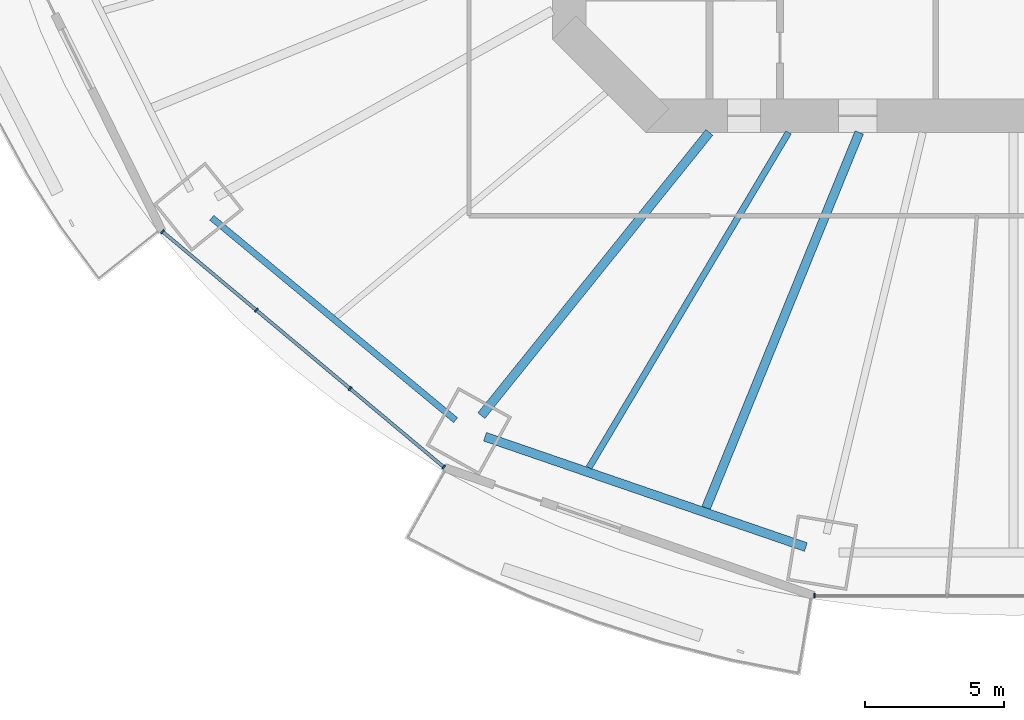
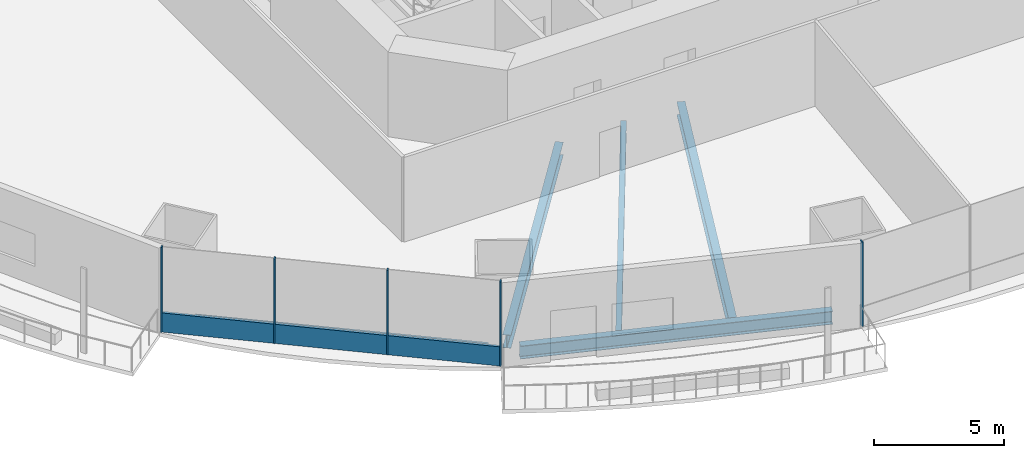
# One storey, part 2 of 23: 6 members, 5 beams, 2 elements without a shape of their own.
"""IFC4 building model written with IfcOpenShell, lengths in metres."""

from ifc_helpers import new_model, si_unit, direction, frame, origin, origin_2d, place, context, subcontext, project, spatial, rectangle, i_section, extrude, material, material_profile, profile_set, type_object, element, aggregate, save


model = new_model("IFC4")

# Units and contexts
model_context = context("Model", 3, precision=1e-05, world=origin(), true_north=direction((0.0, 1.0)))
body_context = subcontext(model_context, "Body", "Model", "MODEL_VIEW")
ifc_project = project(units=[si_unit("LENGTHUNIT", "METRE"), si_unit("AREAUNIT", "SQUARE_METRE"), si_unit("VOLUMEUNIT", "CUBIC_METRE"), si_unit("PLANEANGLEUNIT", "RADIAN"), si_unit("MASSUNIT", "GRAM", prefix="KILO")], contexts=[model_context])

# Site, building, storey
site_placement = place(None, origin())
site = spatial("IfcSite", under=ifc_project, at=site_placement, CompositionType="ELEMENT")
building_placement = place(site_placement, origin())
building = spatial("IfcBuilding", under=site, at=building_placement, Name="Marenthal Gate Tower", CompositionType="ELEMENT")
storey_placement = place(building_placement, frame((0.0, 0.0, 41.300048828125)))
storey = spatial("IfcBuildingStorey", under=building, at=storey_placement, Name="L06", CompositionType="ELEMENT", Elevation=41.300048828125)

# Curtain wall, members
ifc_material_1 = material(Name="Aluminium and glass", Category="aluminium")
curtain_wall_type = type_object("IfcCurtainWallType", Name="Curtain wall typical low", PredefinedType="NOTDEFINED", material=ifc_material_1)
curtain_wall_1_placement = place(storey_placement, origin())
curtain_wall_1 = element("IfcCurtainWall", 1, at=curtain_wall_1_placement, inside=storey, type_object=curtain_wall_type, Name="Curtain wall L06 bay 10", PredefinedType="NOTDEFINED")
ifc_material_2 = material(Name="Aluminium", Category="aluminium")
ifc_material_profile_1 = material_profile(ifc_material_2, rectangle(XDim=0.159912109375, YDim=0.06005859375, at=origin_2d()), Name="60x160 aluminium mullion")
ifc_profile_set_1 = profile_set([ifc_material_profile_1], Name="Aluminium")
member_type_1 = type_object("IfcMemberType", Name="Mullion 60x160 typical low", PredefinedType="MULLION", material=ifc_profile_set_1)
member_1_placement = place(storey_placement, frame((-30.6416015625, -17.17529296875, 0.0), z_axis=(0.0, 0.0, 1.0), x_axis=(0.641982192245, 0.76671954771, 0.0)))
member_1 = element("IfcMember", 2, at=member_1_placement, type_object=member_type_1, Name="Mullion L06 bay 10.1", PredefinedType="MULLION", context=body_context, shape_type="SweptSolid", body=[
    extrude(rectangle(XDim=0.159912109375, YDim=0.06005859375, at=origin_2d()), origin(), (0.0, 0.0, 1.0), 3.969970703125),
])
member_2_placement = place(storey_placement, frame((-27.26513671875, -20.00244140625, 0.0), z_axis=(0.0, 0.0, 1.0), x_axis=(0.641982192245, 0.76671954771, 0.0)))
member_2 = element("IfcMember", 3, at=member_2_placement, type_object=member_type_1, Name="Mullion L06 bay 10.2", PredefinedType="MULLION", context=body_context, shape_type="SweptSolid", body=[
    extrude(rectangle(XDim=0.159912109375, YDim=0.06005859375, at=origin_2d()), origin(), (0.0, 0.0, 1.0), 3.969970703125),
])
member_3_placement = place(storey_placement, frame((-23.888671875, -22.829345703125, 0.0), z_axis=(0.0, 0.0, 1.0), x_axis=(0.641982192245, 0.76671954771, 0.0)))
member_3 = element("IfcMember", 4, at=member_3_placement, type_object=member_type_1, Name="Mullion L06 bay 10.3", PredefinedType="MULLION", context=body_context, shape_type="SweptSolid", body=[
    extrude(rectangle(XDim=0.159912109375, YDim=0.06005859375, at=origin_2d()), origin(), (0.0, 0.0, 1.0), 3.969970703125),
])
member_4_placement = place(storey_placement, frame((-20.512451171875, -25.656494140625, 0.0), z_axis=(0.0, 0.0, 1.0), x_axis=(0.641982192245, 0.76671954771, 0.0)))
member_4 = element("IfcMember", 5, at=member_4_placement, type_object=member_type_1, Name="Mullion L06 bay 10.4", PredefinedType="MULLION", context=body_context, shape_type="SweptSolid", body=[
    extrude(rectangle(XDim=0.159912109375, YDim=0.06005859375, at=origin_2d()), origin(), (0.0, 0.0, 1.0), 3.969970703125),
])

# Curtain wall, member
curtain_wall_2_placement = place(storey_placement, origin())
curtain_wall_2 = element("IfcCurtainWall", 6, at=curtain_wall_2_placement, inside=storey, type_object=curtain_wall_type, Name="Curtain wall L06 bay 12", PredefinedType="NOTDEFINED")
member_5_placement = place(storey_placement, frame((-7.164794921875, -30.28662109375, 0.0), z_axis=(0.0, 0.0, 1.0), x_axis=(0.0, 1.0, 0.0)))
member_5 = element("IfcMember", 7, at=member_5_placement, type_object=member_type_1, Name="Mullion L06 bay 12.1", PredefinedType="MULLION", context=body_context, shape_type="SweptSolid", body=[
    extrude(rectangle(XDim=0.159912109375, YDim=0.06005859375, at=origin_2d()), origin(), (0.0, 0.0, 1.0), 3.969970703125),
])
aggregate(curtain_wall_2, [member_5])

# Member
ifc_material_3 = material(Name="Aluminium", Category="aluminium")
ifc_material_profile_2 = material_profile(ifc_material_3, rectangle(XDim=0.1201171875, YDim=0.89990234375, at=origin_2d()), Name="120x900 aluminium transom")
ifc_profile_set_2 = profile_set([ifc_material_profile_2], Name="Aluminium")
member_type_2 = type_object("IfcMemberType", Name="Transom 120x900 typical low", PredefinedType="USERDEFINED", material=ifc_profile_set_2)
member_6_placement = place(storey_placement, frame((-30.61865234375, -17.194580078125, 0.449951171875), z_axis=(0.766726434385, -0.641973967397, 0.0), x_axis=(0.641973967397, 0.766726434385, 0.0)))
member_6 = element("IfcMember", 8, at=member_6_placement, type_object=member_type_2, Name="Transom L06 bay 10", ObjectType="TRANSOM", PredefinedType="USERDEFINED", context=body_context, shape_type="SweptSolid", body=[
    extrude(rectangle(XDim=0.1201171875, YDim=0.89990234375, at=origin_2d()), origin(), (0.0, 0.0, 1.0), 13.151123046875),
])

aggregate(curtain_wall_1, [member_1, member_2, member_3, member_4, member_6])

# Beams
ifc_material_4 = material(Name="Steel S355", Category="steel")
ifc_material_profile_3 = material_profile(ifc_material_4, i_section(OverallWidth=0.22900390625, OverallDepth=0.612060546875, WebThickness=0.011962890625, FlangeThickness=0.01953125, FilletRadius=0.0126953125, at=origin_2d()), Name="W610X125")
ifc_profile_set_3 = profile_set([ifc_material_profile_3], Name="Steel S355")
beam_type_1 = type_object("IfcBeamType", Name="W610X125 beam", PredefinedType="BEAM", material=ifc_profile_set_3)
beam_1_placement = place(storey_placement, frame((-15.28515625, -25.677734375, -0.486083984375), z_axis=(0.511504014048, 0.859280887494, 0.0), x_axis=(-0.859280887494, 0.511504014048, 0.0)))
element("IfcBeam", 9, at=beam_1_placement, inside=storey, type_object=beam_type_1, Name="BM-L06-32", PredefinedType="BEAM", context=body_context, shape_type="SweptSolid", body=[
    extrude(i_section(OverallWidth=0.22900390625, OverallDepth=0.612060546875, WebThickness=0.011962890625, FlangeThickness=0.01953125, FilletRadius=0.0126953125, at=origin_2d()), origin(), (0.0, 0.0, 1.0), 14.055419921875),
])
beam_2_placement = place(storey_placement, frame((-28.871826171875, -16.67578125, -0.486083984375), z_axis=(0.769467989353, -0.63868537901, 0.0), x_axis=(0.63868537901, 0.769467989353, 0.0)))
element("IfcBeam", 10, at=beam_2_placement, inside=storey, type_object=beam_type_1, Name="BM-L06-50", PredefinedType="BEAM", context=body_context, shape_type="SweptSolid", body=[
    extrude(i_section(OverallWidth=0.22900390625, OverallDepth=0.612060546875, WebThickness=0.011962890625, FlangeThickness=0.01953125, FilletRadius=0.0126953125, at=origin_2d()), origin(), (0.0, 0.0, 1.0), 11.415283203125),
])
ifc_material_5 = material(Name="Steel S355", Category="steel")
ifc_material_profile_4 = material_profile(ifc_material_5, i_section(OverallWidth=0.324951171875, OverallDepth=0.612060546875, WebThickness=0.0126953125, FlangeThickness=0.01904296875, FilletRadius=0.0126953125, at=origin_2d()), Name="W610X155")
ifc_profile_set_4 = profile_set([ifc_material_profile_4], Name="Steel S355")
beam_type_2 = type_object("IfcBeamType", Name="W610X155 beam", PredefinedType="BEAM", material=ifc_profile_set_4)
beam_3_placement = place(storey_placement, frame((-19.161376953125, -23.802978515625, -0.486083984375), z_axis=(0.627069823545, 0.778963052012, 0.0), x_axis=(-0.778963052012, 0.627069823545, 0.0)))
element("IfcBeam", 11, at=beam_3_placement, inside=storey, type_object=beam_type_2, Name="BM-L06-11", PredefinedType="BEAM", context=body_context, shape_type="SweptSolid", body=[
    extrude(i_section(OverallWidth=0.324951171875, OverallDepth=0.612060546875, WebThickness=0.0126953125, FlangeThickness=0.01904296875, FilletRadius=0.0126953125, at=origin_2d()), origin(), (0.0, 0.0, 1.0), 13.09814453125),
])
beam_4_placement = place(storey_placement, frame((-11.06689453125, -27.1279296875, -0.486083984375), z_axis=(0.377734751458, 0.925913849956, 0.0), x_axis=(-0.925913849956, 0.377734751458, 0.0)))
element("IfcBeam", 12, at=beam_4_placement, inside=storey, type_object=beam_type_2, Name="BM-L06-33", PredefinedType="BEAM", context=body_context, shape_type="SweptSolid", body=[
    extrude(i_section(OverallWidth=0.324951171875, OverallDepth=0.612060546875, WebThickness=0.0126953125, FlangeThickness=0.01904296875, FilletRadius=0.0126953125, at=origin_2d()), origin(), (0.0, 0.0, 1.0), 14.6103515625),
])
beam_5_placement = place(storey_placement, frame((-19.028076171875, -24.562744140625, -0.486083984375), z_axis=(0.945669328234, -0.325130007287, 0.0), x_axis=(0.325130007287, 0.945669328234, 0.0)))
element("IfcBeam", 13, at=beam_5_placement, inside=storey, type_object=beam_type_2, Name="BM-L06-51", PredefinedType="BEAM", context=body_context, shape_type="SweptSolid", body=[
    extrude(i_section(OverallWidth=0.324951171875, OverallDepth=0.612060546875, WebThickness=0.0126953125, FlangeThickness=0.01904296875, FilletRadius=0.0126953125, at=origin_2d()), origin(), (0.0, 0.0, 1.0), 12.22314453125),
])

save(model, "model.ifc")
